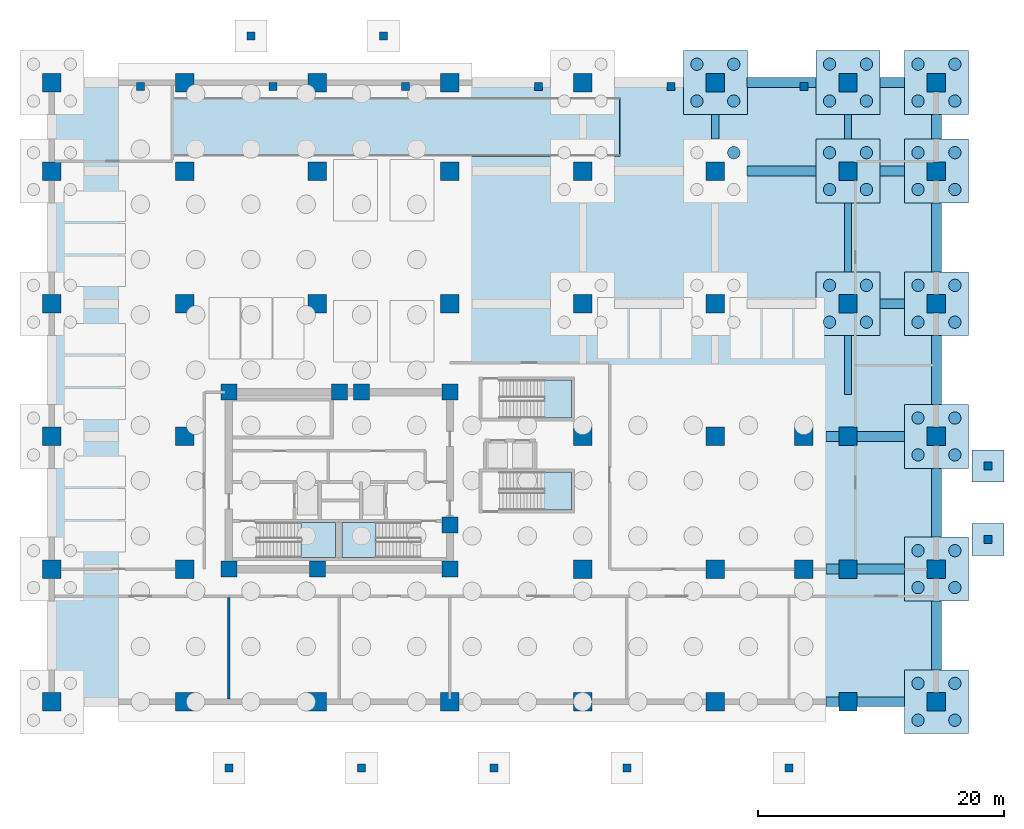
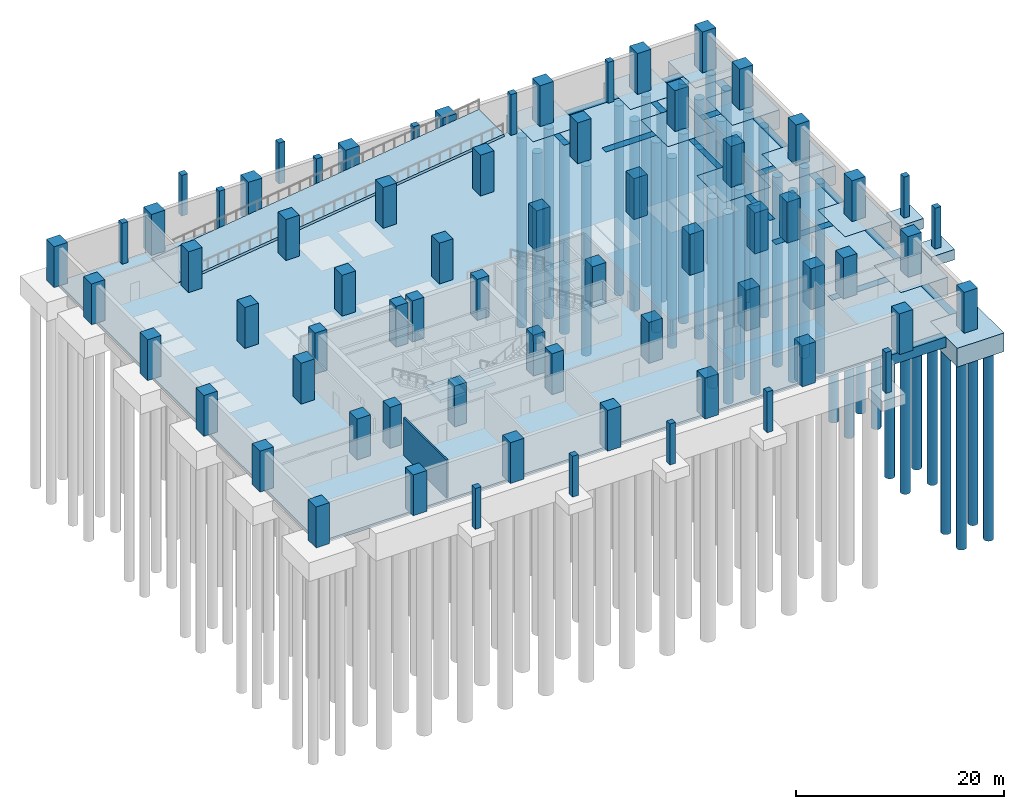
# One storey, part 2 of 9: 69 columns, 41 piles, 29 footings, 6 slabs, 1 wall, 4 elements without a shape of their own.
"""IFC4 building model written with IfcOpenShell, lengths in metres."""

from ifc_helpers import new_model, si_unit, direction, frame, frame_2d, origin, origin_2d, place, context, subcontext, project, spatial, polyline, rectangle, circle, outline, extrude, material, layer, layer_set, material_profile, profile_set, type_object, element, aggregate, save


model = new_model("IFC4")

# Units and contexts
model_context = context("Model", 3, precision=1e-05, world=origin(), true_north=direction((0.0, 1.0)))
body_context = subcontext(model_context, "Body", "Model", "MODEL_VIEW")
ifc_project = project(units=[si_unit("LENGTHUNIT", "METRE"), si_unit("AREAUNIT", "SQUARE_METRE"), si_unit("VOLUMEUNIT", "CUBIC_METRE"), si_unit("PLANEANGLEUNIT", "RADIAN"), si_unit("MASSUNIT", "GRAM", prefix="KILO")], contexts=[model_context])

# Site, building, storey
site_placement = place(None, origin())
site = spatial("IfcSite", under=ifc_project, at=site_placement, CompositionType="ELEMENT")
building_placement = place(site_placement, origin())
building = spatial("IfcBuilding", under=site, at=building_placement, Name="Solnavia Interchange Tower", CompositionType="ELEMENT")
storey_placement = place(building_placement, frame((0.0, 0.0, -9.60009765625)))
storey = spatial("IfcBuildingStorey", under=building, at=storey_placement, Name="B02", CompositionType="ELEMENT", Elevation=-9.60009765625)

# Footings
ifc_material_1 = material(Name="Concrete C40/50", Category="concrete")
footing_type_1 = type_object("IfcFootingType", Name="Footing-CanopyPad-2600", PredefinedType="PAD_FOOTING", material=ifc_material_1)
for number, where, z_axis, x_axis, name in (
    (1, (76.199951171875, 13.199951171875, -1.19970703125), (0.0, 0.0, 1.0), (1.0, 0.0, 0.0), "PAD-B02-08 Promenade canopy pad footing"),
    (2, (76.199951171875, 19.199951171875, -1.19970703125), (0.0, 0.0, 1.0), (1.0, 0.0, 0.0), "PAD-B02-09 Promenade canopy pad footing"),
):
    element("IfcFooting", number, at=place(storey_placement, frame(where, z_axis=z_axis, x_axis=x_axis)), inside=storey, type_object=footing_type_1, Name=name, PredefinedType="PAD_FOOTING", context=body_context, shape_type="SweptSolid", body=[
        extrude(rectangle(XDim=2.60009765625, YDim=2.60009765625, at=origin_2d()), origin(), (0.0, 0.0, 1.0), 1.199951171875),
    ])
footing_type_2 = type_object("IfcFootingType", Name="Footing-Cap-5200", PredefinedType="PILE_CAP", material=ifc_material_1)
for number, where, z_axis, x_axis, name in (
    (3, (72.0, 0.0, -2.19970703125), (0.0, 0.0, 1.0), (1.0, 0.0, 0.0), "PCP-B02-07 Podium four-pile cap"),
    (4, (72.0, 10.800048828125, -2.19970703125), (0.0, 0.0, 1.0), (1.0, 0.0, 0.0), "PCP-B02-08 Podium four-pile cap"),
    (5, (72.0, 21.60009765625, -2.19970703125), (0.0, 0.0, 1.0), (1.0, 0.0, 0.0), "PCP-B02-09 Podium four-pile cap"),
    (6, (72.0, 32.39990234375, -2.19970703125), (0.0, 0.0, 1.0), (1.0, 0.0, 0.0), "PCP-B02-10 Podium four-pile cap"),
    (7, (72.0, 43.199951171875, -2.19970703125), (0.0, 0.0, 1.0), (1.0, 0.0, 0.0), "PCP-B02-11 Podium four-pile cap"),
    (8, (72.0, 50.39990234375, -2.19970703125), (0.0, 0.0, 1.0), (1.0, 0.0, 0.0), "PCP-B02-12 Podium four-pile cap"),
    (9, (54.0, 50.39990234375, -2.19970703125), (0.0, 0.0, 1.0), (1.0, 0.0, 0.0), "PCP-B02-18 Podium four-pile cap"),
    (10, (64.800048828125, 32.39990234375, -2.19970703125), (0.0, 0.0, 1.0), (1.0, 0.0, 0.0), "PCP-B02-19 Podium four-pile cap"),
    (11, (64.800048828125, 43.199951171875, -2.19970703125), (0.0, 0.0, 1.0), (1.0, 0.0, 0.0), "PCP-B02-20 Podium four-pile cap"),
    (12, (64.800048828125, 50.39990234375, -2.19970703125), (0.0, 0.0, 1.0), (1.0, 0.0, 0.0), "PCP-B02-21 Podium four-pile cap"),
):
    element("IfcFooting", number, at=place(storey_placement, frame(where, z_axis=z_axis, x_axis=x_axis)), inside=storey, type_object=footing_type_2, Name=name, PredefinedType="PILE_CAP", context=body_context, shape_type="SweptSolid", body=[
        extrude(rectangle(XDim=5.199951171875, YDim=5.199951171875, at=origin_2d()), origin(), (0.0, 0.0, 1.0), 2.199951171875),
    ])
footing_type_3 = type_object("IfcFootingType", Name="Footing-GroundBeam-600x1000", PredefinedType="FOOTING_BEAM", material=ifc_material_1)
footing_1_placement = place(storey_placement, frame((54.0, 46.800048828125, -1.0), z_axis=(0.0, 0.0, 1.0), x_axis=(0.0, 1.0, 0.0)))
element("IfcFooting", 13, at=footing_1_placement, inside=storey, type_object=footing_type_3, Name="GBM-B02-37 Ground tie beam", PredefinedType="FOOTING_BEAM", context=body_context, shape_type="SweptSolid", body=[
    extrude(rectangle(XDim=2.0, YDim=0.60009765625, at=origin_2d()), origin(), (0.0, 0.0, 1.0), 1.0),
])
footing_2_placement = place(storey_placement, frame((64.800048828125, 27.39990234375, -1.0), z_axis=(0.0, 0.0, 1.0), x_axis=(0.0, 1.0, 0.0)))
element("IfcFooting", 14, at=footing_2_placement, inside=storey, type_object=footing_type_3, Name="GBM-B02-38 Ground tie beam", PredefinedType="FOOTING_BEAM", context=body_context, shape_type="SweptSolid", body=[
    extrude(rectangle(XDim=4.800048828125, YDim=0.60009765625, at=origin_2d()), origin(), (0.0, 0.0, 1.0), 1.0),
])
footing_3_placement = place(storey_placement, frame((64.800048828125, 37.800048828125, -1.0), z_axis=(0.0, 0.0, 1.0), x_axis=(0.0, 1.0, 0.0)))
element("IfcFooting", 15, at=footing_3_placement, inside=storey, type_object=footing_type_3, Name="GBM-B02-39 Ground tie beam", PredefinedType="FOOTING_BEAM", context=body_context, shape_type="SweptSolid", body=[
    extrude(rectangle(XDim=5.60009765625, YDim=0.60009765625, at=origin_2d()), origin(), (0.0, 0.0, 1.0), 1.0),
])
footing_4_placement = place(storey_placement, frame((64.800048828125, 46.800048828125, -1.0), z_axis=(0.0, 0.0, 1.0), x_axis=(0.0, 1.0, 0.0)))
element("IfcFooting", 16, at=footing_4_placement, inside=storey, type_object=footing_type_3, Name="GBM-B02-40 Ground tie beam", PredefinedType="FOOTING_BEAM", context=body_context, shape_type="SweptSolid", body=[
    extrude(rectangle(XDim=2.0, YDim=0.60009765625, at=origin_2d()), origin(), (0.0, 0.0, 1.0), 1.0),
])
footing_type_4 = type_object("IfcFootingType", Name="Footing-GroundBeam-800x1200", PredefinedType="FOOTING_BEAM", material=ifc_material_1)
for number, where, z_axis, x_axis, name in (
    (17, (72.0, 5.39990234375, -1.19970703125), (0.0, 0.0, 1.0), (0.0, 1.0, 0.0), "GBM-B02-06 Ground tie beam"),
    (18, (72.0, 16.199951171875, -1.19970703125), (0.0, 0.0, 1.0), (0.0, 1.0, 0.0), "GBM-B02-07 Ground tie beam"),
    (19, (72.0, 27.0, -1.19970703125), (0.0, 0.0, 1.0), (0.0, 1.0, 0.0), "GBM-B02-08 Ground tie beam"),
    (20, (72.0, 37.800048828125, -1.19970703125), (0.0, 0.0, 1.0), (0.0, 1.0, 0.0), "GBM-B02-09 Ground tie beam"),
):
    element("IfcFooting", number, at=place(storey_placement, frame(where, z_axis=z_axis, x_axis=x_axis)), inside=storey, type_object=footing_type_4, Name=name, PredefinedType="FOOTING_BEAM", context=body_context, shape_type="SweptSolid", body=[
        extrude(rectangle(XDim=5.60009765625, YDim=0.800048828125, at=origin_2d()), origin(), (0.0, 0.0, 1.0), 1.199951171875),
    ])
footing_5_placement = place(storey_placement, frame((72.0, 46.800048828125, -1.19970703125), z_axis=(0.0, 0.0, 1.0), x_axis=(0.0, 1.0, 0.0)))
element("IfcFooting", 21, at=footing_5_placement, inside=storey, type_object=footing_type_4, Name="GBM-B02-10 Ground tie beam", PredefinedType="FOOTING_BEAM", context=body_context, shape_type="SweptSolid", body=[
    extrude(rectangle(XDim=2.0, YDim=0.800048828125, at=origin_2d()), origin(), (0.0, 0.0, 1.0), 1.199951171875),
])
for number, where, z_axis, x_axis, name in (
    (22, (66.199951171875, 0.0, -1.19970703125), (0.0, 0.0, 1.0), (1.0, 0.0, 0.0), "GBM-B02-12 Ground tie beam"),
    (23, (66.199951171875, 10.800048828125, -1.19970703125), (0.0, 0.0, 1.0), (1.0, 0.0, 0.0), "GBM-B02-14 Ground tie beam"),
    (24, (66.199951171875, 21.60009765625, -1.19970703125), (0.0, 0.0, 1.0), (1.0, 0.0, 0.0), "GBM-B02-16 Ground tie beam"),
):
    element("IfcFooting", number, at=place(storey_placement, frame(where, z_axis=z_axis, x_axis=x_axis)), inside=storey, type_object=footing_type_4, Name=name, PredefinedType="FOOTING_BEAM", context=body_context, shape_type="SweptSolid", body=[
        extrude(rectangle(XDim=6.39990234375, YDim=0.800048828125, at=origin_2d()), origin(), (0.0, 0.0, 1.0), 1.199951171875),
    ])
footing_6_placement = place(storey_placement, frame((68.39990234375, 32.39990234375, -1.19970703125), z_axis=(0.0, 0.0, 1.0), x_axis=(1.0, 0.0, 0.0)))
element("IfcFooting", 25, at=footing_6_placement, inside=storey, type_object=footing_type_4, Name="GBM-B02-21 Ground tie beam", PredefinedType="FOOTING_BEAM", context=body_context, shape_type="SweptSolid", body=[
    extrude(rectangle(XDim=2.0, YDim=0.800048828125, at=origin_2d()), origin(), (0.0, 0.0, 1.0), 1.199951171875),
])
footing_7_placement = place(storey_placement, frame((59.39990234375, 43.199951171875, -1.19970703125), z_axis=(0.0, 0.0, 1.0), x_axis=(1.0, 0.0, 0.0)))
element("IfcFooting", 26, at=footing_7_placement, inside=storey, type_object=footing_type_4, Name="GBM-B02-25 Ground tie beam", PredefinedType="FOOTING_BEAM", context=body_context, shape_type="SweptSolid", body=[
    extrude(rectangle(XDim=5.60009765625, YDim=0.800048828125, at=origin_2d()), origin(), (0.0, 0.0, 1.0), 1.199951171875),
])
footing_8_placement = place(storey_placement, frame((68.39990234375, 43.199951171875, -1.19970703125), z_axis=(0.0, 0.0, 1.0), x_axis=(1.0, 0.0, 0.0)))
element("IfcFooting", 27, at=footing_8_placement, inside=storey, type_object=footing_type_4, Name="GBM-B02-26 Ground tie beam", PredefinedType="FOOTING_BEAM", context=body_context, shape_type="SweptSolid", body=[
    extrude(rectangle(XDim=2.0, YDim=0.800048828125, at=origin_2d()), origin(), (0.0, 0.0, 1.0), 1.199951171875),
])
footing_9_placement = place(storey_placement, frame((59.39990234375, 50.39990234375, -1.19970703125), z_axis=(0.0, 0.0, 1.0), x_axis=(1.0, 0.0, 0.0)))
element("IfcFooting", 28, at=footing_9_placement, inside=storey, type_object=footing_type_4, Name="GBM-B02-30 Ground tie beam", PredefinedType="FOOTING_BEAM", context=body_context, shape_type="SweptSolid", body=[
    extrude(rectangle(XDim=5.60009765625, YDim=0.800048828125, at=origin_2d()), origin(), (0.0, 0.0, 1.0), 1.199951171875),
])
footing_10_placement = place(storey_placement, frame((68.39990234375, 50.39990234375, -1.19970703125), z_axis=(0.0, 0.0, 1.0), x_axis=(1.0, 0.0, 0.0)))
element("IfcFooting", 29, at=footing_10_placement, inside=storey, type_object=footing_type_4, Name="GBM-B02-31 Ground tie beam", PredefinedType="FOOTING_BEAM", context=body_context, shape_type="SweptSolid", body=[
    extrude(rectangle(XDim=2.0, YDim=0.800048828125, at=origin_2d()), origin(), (0.0, 0.0, 1.0), 1.199951171875),
])

# Piles
ifc_material_profile_1 = material_profile(ifc_material_1, circle(Radius=0.5, at=origin_2d()), Name="PILE D1000")
ifc_profile_set_1 = profile_set([ifc_material_profile_1], Name="Concrete C40/50")
pile_type = type_object("IfcPileType", Name="Pile-Bored-D1000", PredefinedType="BORED", material=ifc_profile_set_1)
for number, where, z_axis, x_axis, name in (
    (30, (70.5, -1.5, -2.099853515625), (0.0, 0.0, -1.0), (1.0, 0.0, 0.0), "BPL-C-025 Cap bored pile"),
    (31, (70.5, 1.5, -2.099853515625), (0.0, 0.0, -1.0), (1.0, 0.0, 0.0), "BPL-C-026 Cap bored pile"),
    (32, (73.5, -1.5, -2.099853515625), (0.0, 0.0, -1.0), (1.0, 0.0, 0.0), "BPL-C-027 Cap bored pile"),
    (33, (73.5, 1.5, -2.099853515625), (0.0, 0.0, -1.0), (1.0, 0.0, 0.0), "BPL-C-028 Cap bored pile"),
    (34, (70.5, 9.300048828125, -2.099853515625), (0.0, 0.0, -1.0), (1.0, 0.0, 0.0), "BPL-C-029 Cap bored pile"),
    (35, (70.5, 12.300048828125, -2.099853515625), (0.0, 0.0, -1.0), (1.0, 0.0, 0.0), "BPL-C-030 Cap bored pile"),
    (36, (73.5, 9.300048828125, -2.099853515625), (0.0, 0.0, -1.0), (1.0, 0.0, 0.0), "BPL-C-031 Cap bored pile"),
    (37, (73.5, 12.300048828125, -2.099853515625), (0.0, 0.0, -1.0), (1.0, 0.0, 0.0), "BPL-C-032 Cap bored pile"),
    (38, (70.5, 20.10009765625, -2.099853515625), (0.0, 0.0, -1.0), (1.0, 0.0, 0.0), "BPL-C-033 Cap bored pile"),
    (39, (70.5, 23.10009765625, -2.099853515625), (0.0, 0.0, -1.0), (1.0, 0.0, 0.0), "BPL-C-034 Cap bored pile"),
    (40, (73.5, 20.10009765625, -2.099853515625), (0.0, 0.0, -1.0), (1.0, 0.0, 0.0), "BPL-C-035 Cap bored pile"),
    (41, (73.5, 23.10009765625, -2.099853515625), (0.0, 0.0, -1.0), (1.0, 0.0, 0.0), "BPL-C-036 Cap bored pile"),
    (42, (70.5, 30.89990234375, -2.099853515625), (0.0, 0.0, -1.0), (1.0, 0.0, 0.0), "BPL-C-037 Cap bored pile"),
    (43, (70.5, 33.89990234375, -2.099853515625), (0.0, 0.0, -1.0), (1.0, 0.0, 0.0), "BPL-C-038 Cap bored pile"),
    (44, (73.5, 30.89990234375, -2.099853515625), (0.0, 0.0, -1.0), (1.0, 0.0, 0.0), "BPL-C-039 Cap bored pile"),
    (45, (73.5, 33.89990234375, -2.099853515625), (0.0, 0.0, -1.0), (1.0, 0.0, 0.0), "BPL-C-040 Cap bored pile"),
    (46, (70.5, 41.699951171875, -2.099853515625), (0.0, 0.0, -1.0), (1.0, 0.0, 0.0), "BPL-C-041 Cap bored pile"),
    (47, (70.5, 44.699951171875, -2.099853515625), (0.0, 0.0, -1.0), (1.0, 0.0, 0.0), "BPL-C-042 Cap bored pile"),
    (48, (73.5, 41.699951171875, -2.099853515625), (0.0, 0.0, -1.0), (1.0, 0.0, 0.0), "BPL-C-043 Cap bored pile"),
    (49, (73.5, 44.699951171875, -2.099853515625), (0.0, 0.0, -1.0), (1.0, 0.0, 0.0), "BPL-C-044 Cap bored pile"),
    (50, (70.5, 48.89990234375, -2.099853515625), (0.0, 0.0, -1.0), (1.0, 0.0, 0.0), "BPL-C-045 Cap bored pile"),
    (51, (70.5, 51.89990234375, -2.099853515625), (0.0, 0.0, -1.0), (1.0, 0.0, 0.0), "BPL-C-046 Cap bored pile"),
    (52, (73.5, 48.89990234375, -2.099853515625), (0.0, 0.0, -1.0), (1.0, 0.0, 0.0), "BPL-C-047 Cap bored pile"),
    (53, (73.5, 51.89990234375, -2.099853515625), (0.0, 0.0, -1.0), (1.0, 0.0, 0.0), "BPL-C-048 Cap bored pile"),
    (54, (55.5, 44.699951171875, -2.099853515625), (0.0, 0.0, -1.0), (1.0, 0.0, 0.0), "BPL-C-068 Cap bored pile"),
    (55, (52.5, 48.89990234375, -2.099853515625), (0.0, 0.0, -1.0), (1.0, 0.0, 0.0), "BPL-C-069 Cap bored pile"),
    (56, (52.5, 51.89990234375, -2.099853515625), (0.0, 0.0, -1.0), (1.0, 0.0, 0.0), "BPL-C-070 Cap bored pile"),
    (57, (55.5, 48.89990234375, -2.099853515625), (0.0, 0.0, -1.0), (1.0, 0.0, 0.0), "BPL-C-071 Cap bored pile"),
    (58, (55.5, 51.89990234375, -2.099853515625), (0.0, 0.0, -1.0), (1.0, 0.0, 0.0), "BPL-C-072 Cap bored pile"),
    (59, (63.300048828125, 30.89990234375, -2.099853515625), (0.0, 0.0, -1.0), (1.0, 0.0, 0.0), "BPL-C-073 Cap bored pile"),
    (60, (63.300048828125, 33.89990234375, -2.099853515625), (0.0, 0.0, -1.0), (1.0, 0.0, 0.0), "BPL-C-074 Cap bored pile"),
    (61, (66.300048828125, 30.89990234375, -2.099853515625), (0.0, 0.0, -1.0), (1.0, 0.0, 0.0), "BPL-C-075 Cap bored pile"),
    (62, (66.300048828125, 33.89990234375, -2.099853515625), (0.0, 0.0, -1.0), (1.0, 0.0, 0.0), "BPL-C-076 Cap bored pile"),
    (63, (63.300048828125, 41.699951171875, -2.099853515625), (0.0, 0.0, -1.0), (1.0, 0.0, 0.0), "BPL-C-077 Cap bored pile"),
    (64, (63.300048828125, 44.699951171875, -2.099853515625), (0.0, 0.0, -1.0), (1.0, 0.0, 0.0), "BPL-C-078 Cap bored pile"),
    (65, (66.300048828125, 41.699951171875, -2.099853515625), (0.0, 0.0, -1.0), (1.0, 0.0, 0.0), "BPL-C-079 Cap bored pile"),
    (66, (66.300048828125, 44.699951171875, -2.099853515625), (0.0, 0.0, -1.0), (1.0, 0.0, 0.0), "BPL-C-080 Cap bored pile"),
    (67, (63.300048828125, 48.89990234375, -2.099853515625), (0.0, 0.0, -1.0), (1.0, 0.0, 0.0), "BPL-C-081 Cap bored pile"),
    (68, (63.300048828125, 51.89990234375, -2.099853515625), (0.0, 0.0, -1.0), (1.0, 0.0, 0.0), "BPL-C-082 Cap bored pile"),
    (69, (66.300048828125, 48.89990234375, -2.099853515625), (0.0, 0.0, -1.0), (1.0, 0.0, 0.0), "BPL-C-083 Cap bored pile"),
    (70, (66.300048828125, 51.89990234375, -2.099853515625), (0.0, 0.0, -1.0), (1.0, 0.0, 0.0), "BPL-C-084 Cap bored pile"),
):
    element("IfcPile", number, at=place(storey_placement, frame(where, z_axis=z_axis, x_axis=x_axis)), inside=storey, type_object=pile_type, Name=name, PredefinedType="BORED", context=body_context, shape_type="SweptSolid", body=[
        extrude(circle(Radius=0.5, at=origin_2d()), origin(), (0.0, 0.0, 1.0), 22.300048828125),
    ])

# Columns
ifc_material_2 = material(Name="Concrete C60/75", Category="concrete")
ifc_material_profile_2 = material_profile(ifc_material_2, rectangle(XDim=1.300048828125, YDim=1.300048828125, at=origin_2d()), Name="RC 1300x1300")
ifc_profile_set_2 = profile_set([ifc_material_profile_2], Name="Concrete C60/75")
column_type_1 = type_object("IfcColumnType", Name="Col-RC-1300x1300", PredefinedType="COLUMN", material=ifc_profile_set_2)
for number, where, z_axis, x_axis, name in (
    (71, (14.39990234375, 10.800048828125, 0.0), (0.0, 0.0, 1.0), (1.0, 0.0, 0.0), "COL-B02-P13 Podium core column"),
    (72, (14.39990234375, 25.199951171875, 0.0), (0.0, 0.0, 1.0), (1.0, 0.0, 0.0), "COL-B02-P14 Podium core column"),
    (73, (21.60009765625, 10.800048828125, 0.0), (0.0, 0.0, 1.0), (1.0, 0.0, 0.0), "COL-B02-P16 Podium core column"),
    (74, (23.39990234375, 25.199951171875, 0.0), (0.0, 0.0, 1.0), (1.0, 0.0, 0.0), "COL-B02-P20 Podium core column"),
    (75, (25.199951171875, 25.199951171875, 0.0), (0.0, 0.0, 1.0), (1.0, 0.0, 0.0), "COL-B02-P21 Podium core column"),
    (76, (32.39990234375, 10.800048828125, 0.0), (0.0, 0.0, 1.0), (1.0, 0.0, 0.0), "COL-B02-P23 Podium core column"),
    (77, (32.39990234375, 14.39990234375, 0.0), (0.0, 0.0, 1.0), (1.0, 0.0, 0.0), "COL-B02-P24 Podium core column"),
    (78, (32.39990234375, 25.199951171875, 0.0), (0.0, 0.0, 1.0), (1.0, 0.0, 0.0), "COL-B02-P25 Podium core column"),
):
    element("IfcColumn", number, at=place(storey_placement, frame(where, z_axis=z_axis, x_axis=x_axis)), inside=storey, type_object=column_type_1, Name=name, PredefinedType="COLUMN", context=body_context, shape_type="SweptSolid", body=[
        extrude(rectangle(XDim=1.300048828125, YDim=1.300048828125, at=origin_2d()), origin(), (0.0, 0.0, 1.0), 4.800048828125),
    ])
ifc_material_profile_3 = material_profile(ifc_material_2, rectangle(XDim=1.5, YDim=1.5, at=origin_2d()), Name="RC 1500x1500")
ifc_profile_set_3 = profile_set([ifc_material_profile_3], Name="Concrete C60/75")
column_type_2 = type_object("IfcColumnType", Name="Col-RC-1500x1500", PredefinedType="COLUMN", material=ifc_profile_set_3)
for number, where, z_axis, x_axis, name in (
    (79, (0.0, 0.0, 0.0), (0.0, 0.0, 1.0), (1.0, 0.0, 0.0), "COL-B02-P01 Podium concourse column"),
    (80, (0.0, 10.800048828125, 0.0), (0.0, 0.0, 1.0), (1.0, 0.0, 0.0), "COL-B02-P02 Podium concourse column"),
    (81, (0.0, 21.60009765625, 0.0), (0.0, 0.0, 1.0), (1.0, 0.0, 0.0), "COL-B02-P03 Podium concourse column"),
    (82, (0.0, 32.39990234375, 0.0), (0.0, 0.0, 1.0), (1.0, 0.0, 0.0), "COL-B02-P04 Podium concourse column"),
    (83, (0.0, 43.199951171875, 0.0), (0.0, 0.0, 1.0), (1.0, 0.0, 0.0), "COL-B02-P05 Podium concourse column"),
    (84, (0.0, 50.39990234375, 0.0), (0.0, 0.0, 1.0), (1.0, 0.0, 0.0), "COL-B02-P06 Podium concourse column"),
    (85, (10.800048828125, 0.0, 0.0), (0.0, 0.0, 1.0), (1.0, 0.0, 0.0), "COL-B02-P07 Podium concourse column"),
    (86, (10.800048828125, 10.800048828125, 0.0), (0.0, 0.0, 1.0), (1.0, 0.0, 0.0), "COL-B02-P08 Podium concourse column"),
    (87, (10.800048828125, 21.60009765625, 0.0), (0.0, 0.0, 1.0), (1.0, 0.0, 0.0), "COL-B02-P09 Podium concourse column"),
    (88, (10.800048828125, 32.39990234375, 0.0), (0.0, 0.0, 1.0), (1.0, 0.0, 0.0), "COL-B02-P10 Podium concourse column"),
    (89, (10.800048828125, 43.199951171875, 0.0), (0.0, 0.0, 1.0), (1.0, 0.0, 0.0), "COL-B02-P11 Podium concourse column"),
    (90, (10.800048828125, 50.39990234375, 0.0), (0.0, 0.0, 1.0), (1.0, 0.0, 0.0), "COL-B02-P12 Podium concourse column"),
    (91, (21.60009765625, 0.0, 0.0), (0.0, 0.0, 1.0), (1.0, 0.0, 0.0), "COL-B02-P15 Podium concourse column"),
    (92, (21.60009765625, 32.39990234375, 0.0), (0.0, 0.0, 1.0), (1.0, 0.0, 0.0), "COL-B02-P17 Podium concourse column"),
    (93, (21.60009765625, 43.199951171875, 0.0), (0.0, 0.0, 1.0), (1.0, 0.0, 0.0), "COL-B02-P18 Podium concourse column"),
    (94, (21.60009765625, 50.39990234375, 0.0), (0.0, 0.0, 1.0), (1.0, 0.0, 0.0), "COL-B02-P19 Podium concourse column"),
    (95, (32.39990234375, 0.0, 0.0), (0.0, 0.0, 1.0), (1.0, 0.0, 0.0), "COL-B02-P22 Podium concourse column"),
    (96, (32.39990234375, 32.39990234375, 0.0), (0.0, 0.0, 1.0), (1.0, 0.0, 0.0), "COL-B02-P26 Podium concourse column"),
    (97, (32.39990234375, 43.199951171875, 0.0), (0.0, 0.0, 1.0), (1.0, 0.0, 0.0), "COL-B02-P27 Podium concourse column"),
    (98, (32.39990234375, 50.39990234375, 0.0), (0.0, 0.0, 1.0), (1.0, 0.0, 0.0), "COL-B02-P28 Podium concourse column"),
    (99, (43.199951171875, 0.0, 0.0), (0.0, 0.0, 1.0), (1.0, 0.0, 0.0), "COL-B02-P29 Podium concourse column"),
    (100, (43.199951171875, 10.800048828125, 0.0), (0.0, 0.0, 1.0), (1.0, 0.0, 0.0), "COL-B02-P30 Podium concourse column"),
    (101, (43.199951171875, 21.60009765625, 0.0), (0.0, 0.0, 1.0), (1.0, 0.0, 0.0), "COL-B02-P31 Podium concourse column"),
    (102, (43.199951171875, 32.39990234375, 0.0), (0.0, 0.0, 1.0), (1.0, 0.0, 0.0), "COL-B02-P32 Podium concourse column"),
    (103, (43.199951171875, 43.199951171875, 0.0), (0.0, 0.0, 1.0), (1.0, 0.0, 0.0), "COL-B02-P33 Podium concourse column"),
    (104, (43.199951171875, 50.39990234375, 0.0), (0.0, 0.0, 1.0), (1.0, 0.0, 0.0), "COL-B02-P34 Podium concourse column"),
    (105, (54.0, 0.0, 0.0), (0.0, 0.0, 1.0), (1.0, 0.0, 0.0), "COL-B02-P35 Podium concourse column"),
    (106, (54.0, 10.800048828125, 0.0), (0.0, 0.0, 1.0), (1.0, 0.0, 0.0), "COL-B02-P36 Podium concourse column"),
    (107, (54.0, 21.60009765625, 0.0), (0.0, 0.0, 1.0), (1.0, 0.0, 0.0), "COL-B02-P37 Podium concourse column"),
    (108, (54.0, 32.39990234375, 0.0), (0.0, 0.0, 1.0), (1.0, 0.0, 0.0), "COL-B02-P38 Podium concourse column"),
    (109, (54.0, 43.199951171875, 0.0), (0.0, 0.0, 1.0), (1.0, 0.0, 0.0), "COL-B02-P39 Podium concourse column"),
    (110, (54.0, 50.39990234375, 0.0), (0.0, 0.0, 1.0), (1.0, 0.0, 0.0), "COL-B02-P40 Podium concourse column"),
    (111, (61.199951171875, 10.800048828125, 0.0), (0.0, 0.0, 1.0), (1.0, 0.0, 0.0), "COL-B02-P41 Podium concourse column"),
    (112, (61.199951171875, 21.60009765625, 0.0), (0.0, 0.0, 1.0), (1.0, 0.0, 0.0), "COL-B02-P42 Podium concourse column"),
    (113, (64.800048828125, 0.0, 0.0), (0.0, 0.0, 1.0), (1.0, 0.0, 0.0), "COL-B02-P43 Podium concourse column"),
    (114, (64.800048828125, 10.800048828125, 0.0), (0.0, 0.0, 1.0), (1.0, 0.0, 0.0), "COL-B02-P44 Podium concourse column"),
    (115, (64.800048828125, 21.60009765625, 0.0), (0.0, 0.0, 1.0), (1.0, 0.0, 0.0), "COL-B02-P45 Podium concourse column"),
    (116, (64.800048828125, 32.39990234375, 0.0), (0.0, 0.0, 1.0), (1.0, 0.0, 0.0), "COL-B02-P46 Podium concourse column"),
    (117, (64.800048828125, 43.199951171875, 0.0), (0.0, 0.0, 1.0), (1.0, 0.0, 0.0), "COL-B02-P47 Podium concourse column"),
    (118, (64.800048828125, 50.39990234375, 0.0), (0.0, 0.0, 1.0), (1.0, 0.0, 0.0), "COL-B02-P48 Podium concourse column"),
    (119, (72.0, 0.0, 0.0), (0.0, 0.0, 1.0), (1.0, 0.0, 0.0), "COL-B02-P49 Podium concourse column"),
    (120, (72.0, 10.800048828125, 0.0), (0.0, 0.0, 1.0), (1.0, 0.0, 0.0), "COL-B02-P50 Podium concourse column"),
    (121, (72.0, 21.60009765625, 0.0), (0.0, 0.0, 1.0), (1.0, 0.0, 0.0), "COL-B02-P51 Podium concourse column"),
    (122, (72.0, 32.39990234375, 0.0), (0.0, 0.0, 1.0), (1.0, 0.0, 0.0), "COL-B02-P52 Podium concourse column"),
    (123, (72.0, 43.199951171875, 0.0), (0.0, 0.0, 1.0), (1.0, 0.0, 0.0), "COL-B02-P53 Podium concourse column"),
    (124, (72.0, 50.39990234375, 0.0), (0.0, 0.0, 1.0), (1.0, 0.0, 0.0), "COL-B02-P54 Podium concourse column"),
):
    element("IfcColumn", number, at=place(storey_placement, frame(where, z_axis=z_axis, x_axis=x_axis)), inside=storey, type_object=column_type_2, Name=name, PredefinedType="COLUMN", context=body_context, shape_type="SweptSolid", body=[
        extrude(rectangle(XDim=1.5, YDim=1.5, at=origin_2d()), origin(), (0.0, 0.0, 1.0), 4.800048828125),
    ])
ifc_material_3 = material(Name="Concrete C50/60", Category="concrete")
ifc_material_profile_4 = material_profile(ifc_material_3, rectangle(XDim=0.64990234375, YDim=0.64990234375, at=origin_2d()), Name="RC 650x650")
ifc_profile_set_4 = profile_set([ifc_material_profile_4], Name="Concrete C50/60")
column_type_3 = type_object("IfcColumnType", Name="Col-RC-650x650", PredefinedType="COLUMN", material=ifc_profile_set_4)
for number, where, z_axis, x_axis, name in (
    (125, (14.39990234375, -5.39990234375, 0.0), (0.0, 0.0, 1.0), (1.0, 0.0, 0.0), "COL-B02-C01 Waterfront canopy column"),
    (126, (25.199951171875, -5.39990234375, 0.0), (0.0, 0.0, 1.0), (1.0, 0.0, 0.0), "COL-B02-C02 Waterfront canopy column"),
    (127, (36.0, -5.39990234375, 0.0), (0.0, 0.0, 1.0), (1.0, 0.0, 0.0), "COL-B02-C03 Waterfront canopy column"),
    (128, (46.800048828125, -5.39990234375, 0.0), (0.0, 0.0, 1.0), (1.0, 0.0, 0.0), "COL-B02-C04 Waterfront canopy column"),
    (129, (60.0, -5.39990234375, 0.0), (0.0, 0.0, 1.0), (1.0, 0.0, 0.0), "COL-B02-C05 Waterfront canopy column"),
    (130, (16.199951171875, 54.199951171875, 0.0), (0.0, 0.0, 1.0), (1.0, 0.0, 0.0), "COL-B02-C06 Waterfront canopy column"),
    (131, (27.0, 54.199951171875, 0.0), (0.0, 0.0, 1.0), (1.0, 0.0, 0.0), "COL-B02-C07 Waterfront canopy column"),
    (132, (76.199951171875, 13.199951171875, 0.0), (0.0, 0.0, 1.0), (1.0, 0.0, 0.0), "COL-B02-C08 Waterfront canopy column"),
    (133, (76.199951171875, 19.199951171875, 0.0), (0.0, 0.0, 1.0), (1.0, 0.0, 0.0), "COL-B02-C09 Waterfront canopy column"),
):
    element("IfcColumn", number, at=place(storey_placement, frame(where, z_axis=z_axis, x_axis=x_axis)), inside=storey, type_object=column_type_3, Name=name, PredefinedType="COLUMN", context=body_context, shape_type="SweptSolid", body=[
        extrude(rectangle(XDim=0.64990234375, YDim=0.64990234375, at=origin_2d()), origin(), (0.0, 0.0, 1.0), 4.800048828125),
    ])
ifc_material_profile_5 = material_profile(ifc_material_1, rectangle(XDim=0.64990234375, YDim=0.64990234375, at=origin_2d()), Name="RC 650x650")
ifc_profile_set_5 = profile_set([ifc_material_profile_5], Name="Concrete C40/50")
column_type_4 = type_object("IfcColumnType", Name="Pilaster-RC-650x650", PredefinedType="PILASTER", material=ifc_profile_set_5)
for number, where, z_axis, x_axis, name in (
    (134, (7.199951171875, 50.10009765625, 0.0), (0.0, 0.0, 1.0), (1.0, 0.0, 0.0), "PLS-B02-01 Retaining wall pilaster"),
    (135, (18.0, 50.10009765625, 0.0), (0.0, 0.0, 1.0), (1.0, 0.0, 0.0), "PLS-B02-02 Retaining wall pilaster"),
    (136, (28.800048828125, 50.10009765625, 0.0), (0.0, 0.0, 1.0), (1.0, 0.0, 0.0), "PLS-B02-03 Retaining wall pilaster"),
    (137, (39.60009765625, 50.10009765625, 0.0), (0.0, 0.0, 1.0), (1.0, 0.0, 0.0), "PLS-B02-04 Retaining wall pilaster"),
    (138, (50.39990234375, 50.10009765625, 0.0), (0.0, 0.0, 1.0), (1.0, 0.0, 0.0), "PLS-B02-05 Retaining wall pilaster"),
    (139, (61.199951171875, 50.10009765625, 0.0), (0.0, 0.0, 1.0), (1.0, 0.0, 0.0), "PLS-B02-06 Retaining wall pilaster"),
):
    element("IfcColumn", number, at=place(storey_placement, frame(where, z_axis=z_axis, x_axis=x_axis)), inside=storey, type_object=column_type_4, Name=name, PredefinedType="PILASTER", context=body_context, shape_type="SweptSolid", body=[
        extrude(rectangle(XDim=0.64990234375, YDim=0.64990234375, at=origin_2d()), origin(), (0.0, 0.0, 1.0), 4.800048828125),
    ])

# Slab
ifc_layer_1 = layer(ifc_material_1, 0.39990234375)
ifc_layer_set_1 = layer_set([ifc_layer_1], Name="Concrete C40/50")
slab_type_1 = type_object("IfcSlabType", Name="Slab-Base-400", PredefinedType="BASESLAB", material=ifc_layer_set_1)
slab_1_placement = place(storey_placement, frame((0.0, 0.0, -0.39990234375)))
element("IfcSlab", 140, at=slab_1_placement, inside=storey, type_object=slab_type_1, Name="SLB-B02-01 Structural floor slab", PredefinedType="BASESLAB", context=body_context, shape_type="SweptSolid", body=[
    extrude(outline(polyline([(0.0, 0.0), (72.0, 0.0), (72.0, 50.39990234375), (0.0, 50.39990234375), (0.0, 0.0)]), holes=[polyline([(9.780029296875, 44.3798828125), (12.47998046875, 44.3798828125), (12.47998046875, 49.219970703125), (9.780029296875, 49.219970703125), (9.780029296875, 44.3798828125)])]), origin(), (0.0, 0.0, 1.0), 0.39990234375),
])

# Stair, slab
stair_type = type_object("IfcStairType", Name="Stair-Dogleg-RC", PredefinedType="HALF_TURN_STAIR", material=ifc_material_1)
stair_1_placement = place(storey_placement, origin())
stair_1 = element("IfcStair", 141, at=stair_1_placement, inside=storey, type_object=stair_type, Name="B02 Core exit stair 1", PredefinedType="HALF_TURN_STAIR")
ifc_layer_2 = layer(ifc_material_1, 0.35009765625)
ifc_layer_set_2 = layer_set([ifc_layer_2], Name="Concrete C40/50")
slab_type_2 = type_object("IfcSlabType", Name="Slab-StairLanding-350", PredefinedType="LANDING", material=ifc_layer_set_2)
slab_2_placement = place(storey_placement, frame((0.0, 0.0, 2.050048828125)))
slab_2 = element("IfcSlab", 142, at=slab_2_placement, type_object=slab_type_2, Name="ST-1 landing 1", PredefinedType="LANDING", context=body_context, shape_type="SweptSolid", body=[
    extrude(outline(polyline([(20.26806640625, 11.75), (23.10009765625, 11.75), (23.10009765625, 14.590087890625), (20.26806640625, 14.590087890625), (20.26806640625, 11.75)])), origin(), (0.0, 0.0, 1.0), 0.35009765625),
])
aggregate(stair_1, [slab_2])

stair_2_placement = place(storey_placement, origin())
stair_2 = element("IfcStair", 143, at=stair_2_placement, inside=storey, type_object=stair_type, Name="B02 Core exit stair 2", PredefinedType="HALF_TURN_STAIR")
slab_3_placement = place(storey_placement, frame((0.0, 0.0, 2.050048828125)))
slab_3 = element("IfcSlab", 144, at=slab_3_placement, type_object=slab_type_2, Name="ST-2 landing 1", PredefinedType="LANDING", context=body_context, shape_type="SweptSolid", body=[
    extrude(outline(polyline([(23.60009765625, 11.75), (26.382080078125, 11.75), (26.382080078125, 14.590087890625), (23.60009765625, 14.590087890625), (23.60009765625, 11.75)])), origin(), (0.0, 0.0, 1.0), 0.35009765625),
])
aggregate(stair_2, [slab_3])

stair_3_placement = place(storey_placement, origin())
stair_3 = element("IfcStair", 145, at=stair_3_placement, inside=storey, type_object=stair_type, Name="B02 Podium exit stair 1", PredefinedType="HALF_TURN_STAIR")
slab_4_placement = place(storey_placement, frame((0.0, 0.0, 2.050048828125)))
slab_4 = element("IfcSlab", 146, at=slab_4_placement, type_object=slab_type_2, Name="ST-P1 landing 1", PredefinedType="LANDING", context=body_context, shape_type="SweptSolid", body=[
    extrude(outline(polyline([(40.068115234375, 15.60009765625), (42.300048828125, 15.60009765625), (42.300048828125, 18.699951171875), (40.068115234375, 18.699951171875), (40.068115234375, 15.60009765625)])), origin(), (0.0, 0.0, 1.0), 0.35009765625),
])
aggregate(stair_3, [slab_4])

stair_4_placement = place(storey_placement, origin())
stair_4 = element("IfcStair", 147, at=stair_4_placement, inside=storey, type_object=stair_type, Name="B02 Podium exit stair 2", PredefinedType="HALF_TURN_STAIR")
slab_5_placement = place(storey_placement, frame((0.0, 0.0, 2.050048828125)))
slab_5 = element("IfcSlab", 148, at=slab_5_placement, type_object=slab_type_2, Name="ST-P2 landing 1", PredefinedType="LANDING", context=body_context, shape_type="SweptSolid", body=[
    extrude(outline(polyline([(40.068115234375, 23.10009765625), (42.300048828125, 23.10009765625), (42.300048828125, 26.199951171875), (40.068115234375, 26.199951171875), (40.068115234375, 23.10009765625)])), origin(), (0.0, 0.0, 1.0), 0.35009765625),
])
aggregate(stair_4, [slab_5])

# Slab
ifc_layer_3 = layer(ifc_material_1, 0.300048828125)
ifc_layer_set_3 = layer_set([ifc_layer_3], Name="Concrete C40/50")
slab_type_3 = type_object("IfcSlabType", Name="Slab-VehicleRamp-300", PredefinedType="FLOOR", material=ifc_layer_set_3)
slab_6_placement = place(storey_placement, frame((9.800048828125, 44.39990234375, 0.0), z_axis=(-0.130737982513, 0.0, 0.991416955639), x_axis=(0.991416955639, 0.0, 0.130737982513)))
element("IfcSlab", 149, at=slab_6_placement, inside=storey, type_object=slab_type_3, Name="RSLB-B02-V1 Structural vehicle ramp slab B02-B01", PredefinedType="FLOOR", context=body_context, shape_type="SweptSolid", body=[
    extrude(outline(polyline([(0.0, 0.0), (36.71502906694915, 0.0), (36.71502906694915, 4.800048828124999), (0.0, 4.800048828124999), (0.0, 0.0)])), origin(), (0.0, 0.0, -1.0), 0.300048828125),
])

# Wall
ifc_layer_4 = layer(ifc_material_1, 0.199951171875)
ifc_layer_set_4 = layer_set([ifc_layer_4], Name="Concrete C40/50")
wall_type = type_object("IfcWallType", Name="Wall-PlantFire-200", PredefinedType="PARTITIONING", material=ifc_layer_set_4)
wall_placement = place(storey_placement, frame((14.39990234375, 0.22900390625, 0.0), z_axis=(0.0, 0.0, 1.0), x_axis=(0.0, 1.0, 0.0)))
element("IfcWall", 150, at=wall_placement, inside=storey, type_object=wall_type, Name="PTW-B02-02 Interior partition wall", PredefinedType="PARTITIONING", context=body_context, shape_type="SweptSolid", body=[
    extrude(rectangle(XDim=8.26708984375, YDim=0.199951171875, at=frame_2d((4.133544921875, 0.0))), origin(), (0.0, 0.0, 1.0), 4.43505859375),
])

save(model, "model.ifc")
